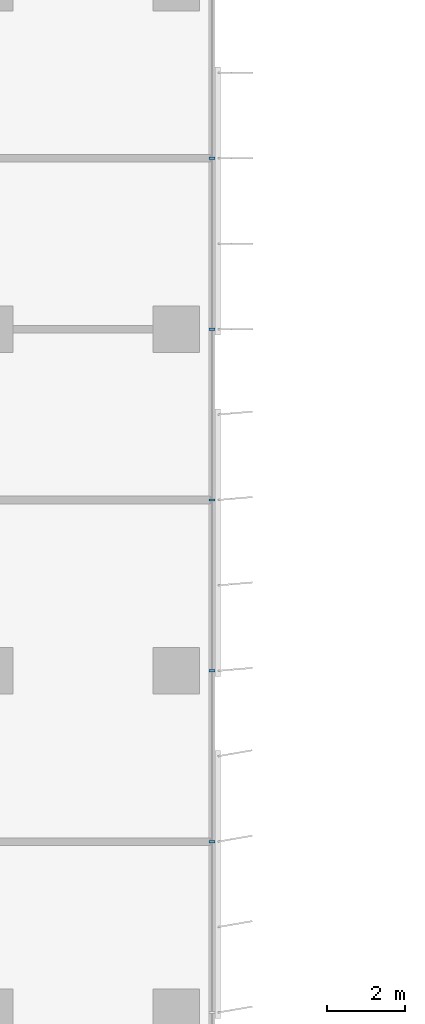
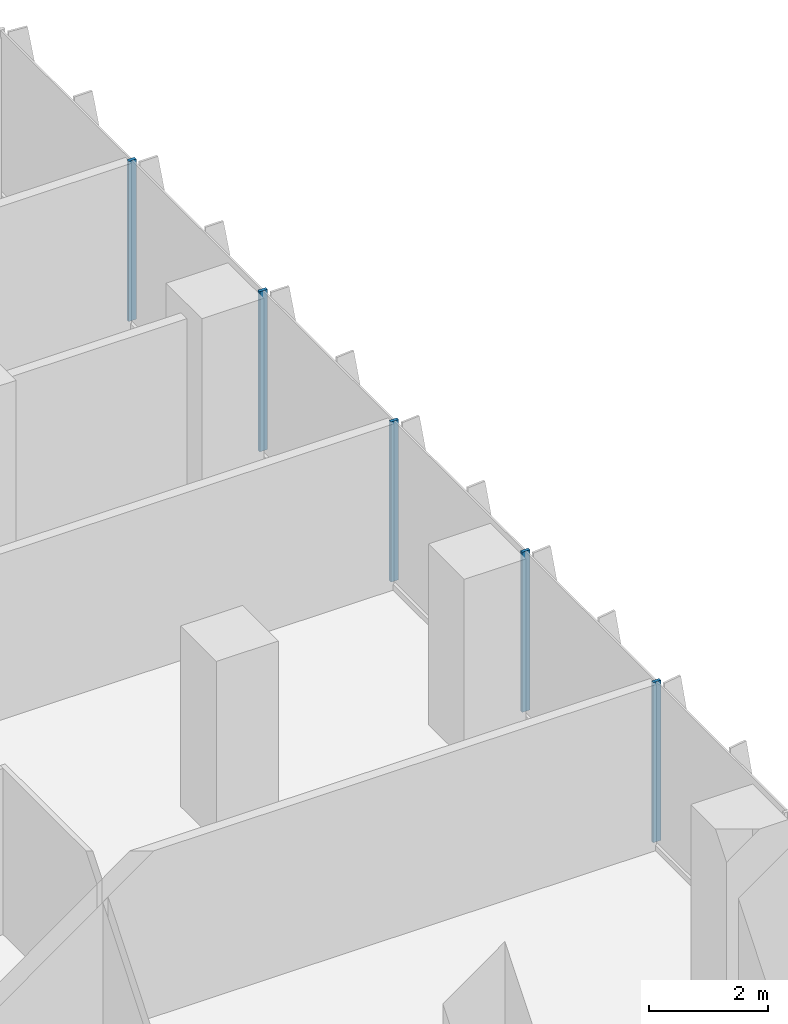
# One storey, part 5 of 22: 5 members, 1 element without a shape of its own.
"""IFC4 building model written with IfcOpenShell, lengths in metres."""

from ifc_helpers import new_model, si_unit, direction, frame, origin, origin_2d, place, context, subcontext, project, spatial, rectangle, extrude, source, transform, mapped, material, material_profile, profile_set, type_object, element, aggregate, save


model = new_model("IFC4")

# Units and contexts
model_context = context("Model", 3, precision=1e-05, world=origin(), true_north=direction((0.0, 1.0)))
body_context = subcontext(model_context, "Body", "Model", "MODEL_VIEW")
ifc_project = project(units=[si_unit("LENGTHUNIT", "METRE"), si_unit("AREAUNIT", "SQUARE_METRE"), si_unit("VOLUMEUNIT", "CUBIC_METRE"), si_unit("PLANEANGLEUNIT", "RADIAN"), si_unit("MASSUNIT", "GRAM", prefix="KILO")], contexts=[model_context])

# Site, building, storey
site_placement = place(None, origin())
site = spatial("IfcSite", under=ifc_project, at=site_placement, CompositionType="ELEMENT")
building_placement = place(site_placement, origin())
building = spatial("IfcBuilding", under=site, at=building_placement, Name="Kemantara Hotel Tower", CompositionType="ELEMENT")
storey_placement = place(building_placement, frame((0.0, 0.0, 107.39990234375)))
storey = spatial("IfcBuildingStorey", under=building, at=storey_placement, Name="L25", CompositionType="ELEMENT", Elevation=107.39990234375)

# Curtain wall, members
ifc_material_1 = material(Name="Low-E tinted double insulated glass 36 mm", Category="glass")
curtain_wall_type = type_object("IfcCurtainWallType", Name="TOWER CURTAIN WALL, FRONT FACES", PredefinedType="USERDEFINED", material=ifc_material_1)
curtain_wall_placement = place(storey_placement, origin())
curtain_wall = element("IfcCurtainWall", 1, at=curtain_wall_placement, inside=storey, type_object=curtain_wall_type, Name="CW4 L25 T2-R14-1", ObjectType="TOWER CURTAIN WALL, FRONT FACES", PredefinedType="USERDEFINED")
ifc_material_2 = material(Name="Aluminium 6063-T6 bronze anodised", Category="aluminium")
ifc_material_profile = material_profile(ifc_material_2, rectangle(XDim=0.14990234375, YDim=0.06005859375, at=origin_2d()), Name="TOWER CURTAIN WALL, FRONT FACES MULLION")
ifc_profile_set = profile_set([ifc_material_profile], Name="Aluminium 6063-T6 bronze anodised")
member_type = type_object("IfcMemberType", Name="TOWER CURTAIN WALL, FRONT FACES MULLION", PredefinedType="MULLION", material=ifc_profile_set)
shared_shape = source(origin(), body_context, "Body", "SweptSolid", [
    extrude(rectangle(XDim=0.14990234375, YDim=0.06005859375, at=origin_2d()), origin(), (0.0, 0.0, 1.0), 3.280029296875),
])
member_1_placement = place(storey_placement, frame((26.72509765625, 31.800048828125, 0.1201171875), z_axis=(0.0, 0.0, 1.0), x_axis=(-1.0, 0.0, 0.0)))
member_1 = element("IfcMember", 2, at=member_1_placement, type_object=member_type, Name="CW4 mullion T2-R14-1.4", PredefinedType="MULLION", context=body_context, shape_type="MappedRepresentation", body=[
    mapped(shared_shape, transform((0.0, 0.0, 0.0))),
])
member_2_placement = place(storey_placement, frame((26.72509765625, 36.199951171875, 0.1201171875), z_axis=(0.0, 0.0, 1.0), x_axis=(-1.0, 0.0, 0.0)))
member_2 = element("IfcMember", 3, at=member_2_placement, type_object=member_type, Name="CW4 mullion T2-R14-1.5", PredefinedType="MULLION", context=body_context, shape_type="MappedRepresentation", body=[
    mapped(shared_shape, transform((0.0, 0.0, 0.0))),
])
member_3_placement = place(storey_placement, frame((26.72509765625, 40.60009765625, 0.1201171875), z_axis=(0.0, 0.0, 1.0), x_axis=(-1.0, 0.0, 0.0)))
member_3 = element("IfcMember", 4, at=member_3_placement, type_object=member_type, Name="CW4 mullion T2-R14-1.6", PredefinedType="MULLION", context=body_context, shape_type="MappedRepresentation", body=[
    mapped(shared_shape, transform((0.0, 0.0, 0.0))),
])
member_4_placement = place(storey_placement, frame((26.72509765625, 45.0, 0.1201171875), z_axis=(0.0, 0.0, 1.0), x_axis=(-1.0, 0.0, 0.0)))
member_4 = element("IfcMember", 5, at=member_4_placement, type_object=member_type, Name="CW4 mullion T2-R14-1.7", PredefinedType="MULLION", context=body_context, shape_type="MappedRepresentation", body=[
    mapped(shared_shape, transform((0.0, 0.0, 0.0))),
])
member_5_placement = place(storey_placement, frame((26.72509765625, 49.39990234375, 0.1201171875), z_axis=(0.0, 0.0, 1.0), x_axis=(-1.0, 0.0, 0.0)))
member_5 = element("IfcMember", 6, at=member_5_placement, type_object=member_type, Name="CW4 mullion T2-R14-1.8", PredefinedType="MULLION", context=body_context, shape_type="MappedRepresentation", body=[
    mapped(shared_shape, transform((0.0, 0.0, 0.0))),
])
aggregate(curtain_wall, [member_1, member_2, member_3, member_4, member_5])

save(model, "model.ifc")
